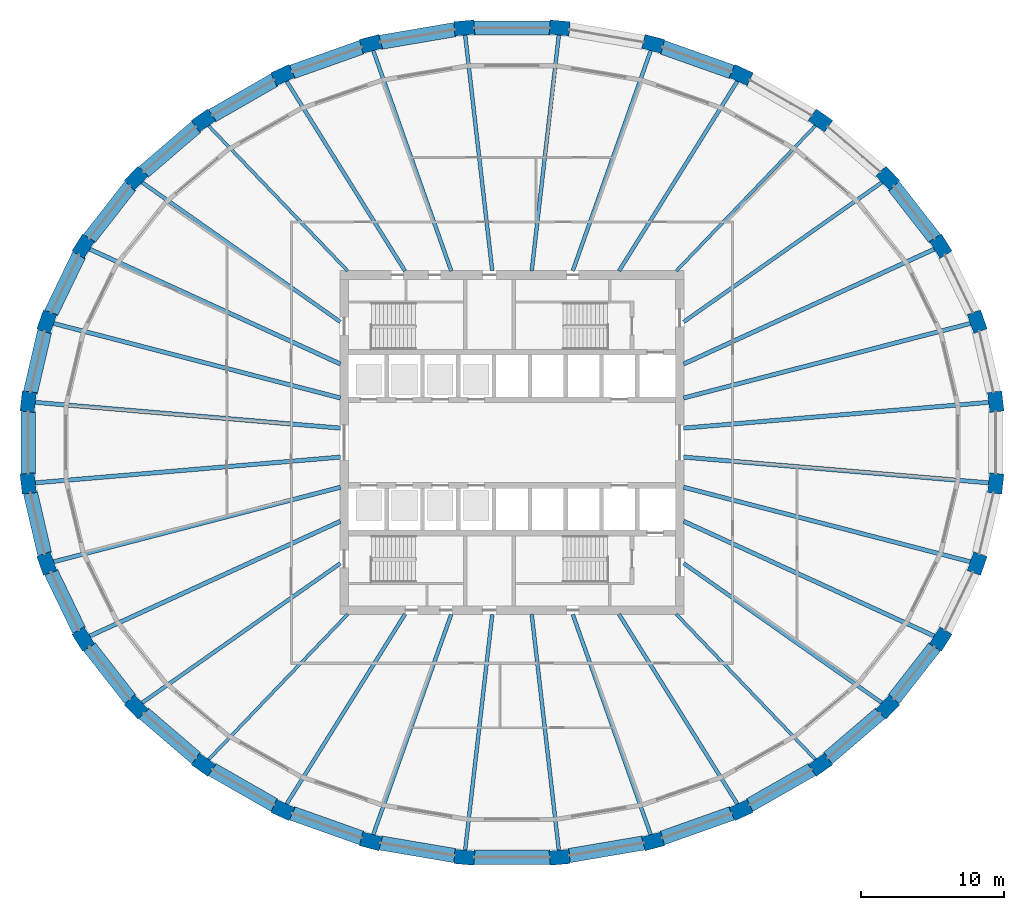
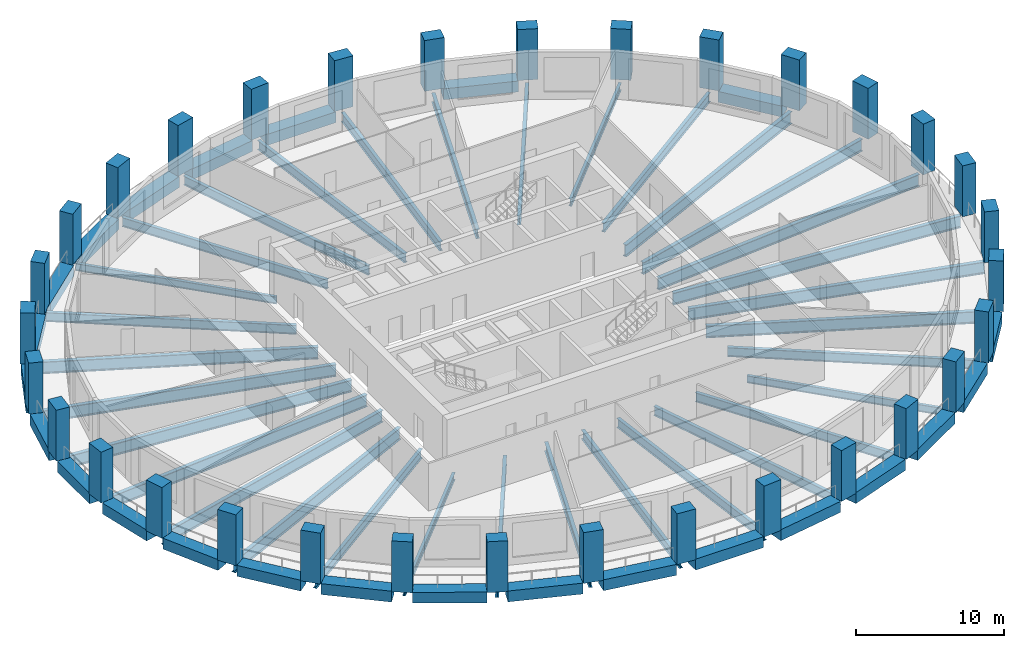
# One storey, part 1 of 10: 56 beams, 32 columns.
"""IFC4 building model written with IfcOpenShell, lengths in metres."""

from ifc_helpers import new_model, si_unit, direction, frame, origin, origin_2d, place, context, subcontext, project, spatial, rectangle, i_section, extrude, material, material_profile, profile_set, type_object, element, save


model = new_model("IFC4")

# Units and contexts
model_context = context("Model", 3, precision=1e-05, world=origin(), true_north=direction((0.0, 1.0)))
body_context = subcontext(model_context, "Body", "Model", "MODEL_VIEW")
ifc_project = project(units=[si_unit("LENGTHUNIT", "METRE"), si_unit("AREAUNIT", "SQUARE_METRE"), si_unit("VOLUMEUNIT", "CUBIC_METRE"), si_unit("PLANEANGLEUNIT", "RADIAN"), si_unit("MASSUNIT", "GRAM", prefix="KILO")], contexts=[model_context])

# Site, building, storey
site_placement = place(None, origin())
site = spatial("IfcSite", under=ifc_project, at=site_placement, CompositionType="ELEMENT")
building_placement = place(site_placement, origin())
building = spatial("IfcBuilding", under=site, at=building_placement, Name="Halqa Exchange Tower", CompositionType="ELEMENT")
storey_placement = place(building_placement, frame((0.0, 0.0, 154.89990234375)))
storey = spatial("IfcBuildingStorey", under=building, at=storey_placement, Name="L35", CompositionType="ELEMENT", Elevation=154.89990234375)

# Columns
ifc_material_1 = material(Name="Concrete C70/85", Category="concrete")
ifc_material_profile_1 = material_profile(ifc_material_1, rectangle(XDim=1.39990234375, YDim=1.0, at=origin_2d()), Name="1400 x 1000")
ifc_profile_set_1 = profile_set([ifc_material_profile_1], Name="Concrete C70/85")
column_type = type_object("IfcColumnType", Name="RC ring column 1400 x 1000 C70/85", PredefinedType="COLUMN", material=ifc_profile_set_1)
for number, where, z_axis, x_axis, name in (
    (1, (33.7578125, 2.849853515625, 0.0), (0.0, 0.0, 1.0), (-0.114155188058, 0.993462929877, 0.0), "Ring column 1"),
    (2, (32.46044921875, 8.440185546875, 0.0), (0.0, 0.0, 1.0), (-0.333634105554, 0.942702648565, 0.0), "Ring column 2"),
    (3, (29.915771484375, 13.7060546875, 0.0), (0.0, 0.0, 1.0), (-0.529143458197, 0.848532380435, 0.0), "Ring column 3"),
    (4, (26.221435546875, 18.445068359375, 0.0), (0.0, 0.0, 1.0), (-0.691578612608, 0.722301199351, 0.0), "Ring column 4"),
    (5, (21.519287109375, 22.475341796875, 0.0), (0.0, 0.0, 1.0), (-0.817910796357, 0.575345052297, 0.0), "Ring column 5"),
    (6, (15.990234375, 25.64208984375, 0.0), (0.0, 0.0, 1.0), (-0.909126368869, 0.416520402174, 0.0), "Ring column 6"),
    (7, (9.8466796875, 27.8232421875, 0.0), (0.0, 0.0, 1.0), (-0.967819503571, 0.251645402317, 0.0), "Ring column 7"),
    (8, (3.32470703125, 28.935302734375, 0.0), (0.0, 0.0, 1.0), (-0.996455225341, 0.084124811391, 0.0), "Ring column 8"),
    (9, (-3.32470703125, 28.935302734375, 0.0), (0.0, 0.0, 1.0), (-0.996455225341, -0.084124811391, 0.0), "Ring column 9"),
    (10, (-9.8466796875, 27.8232421875, 0.0), (0.0, 0.0, 1.0), (-0.967819503571, -0.251645402317, 0.0), "Ring column 10"),
    (11, (-15.990234375, 25.64208984375, 0.0), (0.0, 0.0, 1.0), (-0.909126368869, -0.416520402174, 0.0), "Ring column 11"),
    (12, (-21.519287109375, 22.475341796875, 0.0), (0.0, 0.0, 1.0), (-0.817910796357, -0.575345052297, 0.0), "Ring column 12"),
    (13, (-26.221435546875, 18.445068359375, 0.0), (0.0, 0.0, 1.0), (-0.691578612608, -0.722301199351, 0.0), "Ring column 13"),
    (14, (-29.915771484375, 13.7060546875, 0.0), (0.0, 0.0, 1.0), (-0.529143458197, -0.848532380435, 0.0), "Ring column 14"),
    (15, (-32.46044921875, 8.440185546875, 0.0), (0.0, 0.0, 1.0), (-0.333634105554, -0.942702648565, 0.0), "Ring column 15"),
    (16, (-33.7578125, 2.849853515625, 0.0), (0.0, 0.0, 1.0), (-0.114155188058, -0.993462929877, 0.0), "Ring column 16"),
    (17, (-33.7578125, -2.849853515625, 0.0), (0.0, 0.0, 1.0), (0.114155188058, -0.993462929877, 0.0), "Ring column 17"),
    (18, (-32.46044921875, -8.440185546875, 0.0), (0.0, 0.0, 1.0), (0.333634105554, -0.942702648565, 0.0), "Ring column 18"),
    (19, (-29.915771484375, -13.7060546875, 0.0), (0.0, 0.0, 1.0), (0.529143458197, -0.848532380435, 0.0), "Ring column 19"),
    (20, (-26.221435546875, -18.445068359375, 0.0), (0.0, 0.0, 1.0), (0.691578612608, -0.722301199351, 0.0), "Ring column 20"),
    (21, (-21.519287109375, -22.475341796875, 0.0), (0.0, 0.0, 1.0), (0.817910796357, -0.575345052297, 0.0), "Ring column 21"),
    (22, (-15.990234375, -25.64208984375, 0.0), (0.0, 0.0, 1.0), (0.909126368869, -0.416520402174, 0.0), "Ring column 22"),
    (23, (-9.8466796875, -27.8232421875, 0.0), (0.0, 0.0, 1.0), (0.967819503571, -0.251645402317, 0.0), "Ring column 23"),
    (24, (-3.32470703125, -28.935302734375, 0.0), (0.0, 0.0, 1.0), (0.996455225341, -0.084124811391, 0.0), "Ring column 24"),
    (25, (3.32470703125, -28.935302734375, 0.0), (0.0, 0.0, 1.0), (0.996455225341, 0.084124811391, 0.0), "Ring column 25"),
    (26, (9.8466796875, -27.8232421875, 0.0), (0.0, 0.0, 1.0), (0.967819503571, 0.251645402317, 0.0), "Ring column 26"),
    (27, (15.990234375, -25.64208984375, 0.0), (0.0, 0.0, 1.0), (0.909126368869, 0.416520402174, 0.0), "Ring column 27"),
    (28, (21.519287109375, -22.475341796875, 0.0), (0.0, 0.0, 1.0), (0.817910796357, 0.575345052297, 0.0), "Ring column 28"),
    (29, (26.221435546875, -18.445068359375, 0.0), (0.0, 0.0, 1.0), (0.691578612608, 0.722301199351, 0.0), "Ring column 29"),
    (30, (29.915771484375, -13.7060546875, 0.0), (0.0, 0.0, 1.0), (0.529143458197, 0.848532380435, 0.0), "Ring column 30"),
    (31, (32.46044921875, -8.440185546875, 0.0), (0.0, 0.0, 1.0), (0.333634105554, 0.942702648565, 0.0), "Ring column 31"),
    (32, (33.7578125, -2.849853515625, 0.0), (0.0, 0.0, 1.0), (0.114155188058, 0.993462929877, 0.0), "Ring column 32"),
):
    element("IfcColumn", number, at=place(storey_placement, frame(where, z_axis=z_axis, x_axis=x_axis)), inside=storey, type_object=column_type, Name=name, PredefinedType="COLUMN", context=body_context, shape_type="SweptSolid", body=[
        extrude(rectangle(XDim=1.39990234375, YDim=1.0, at=origin_2d()), origin(), (0.0, 0.0, 1.0), 4.2001953125),
    ])

# Beams
ifc_material_2 = material(Name="Steel S355", Category="steel")
ifc_material_profile_2 = material_profile(ifc_material_2, i_section(OverallWidth=0.300048828125, OverallDepth=0.989990234375, WebThickness=0.0166015625, FlangeThickness=0.031005859375, FilletRadius=0.030029296875, at=origin_2d()), Name="HEA 1000")
ifc_profile_set_2 = profile_set([ifc_material_profile_2], Name="Steel S355")
beam_type_1 = type_object("IfcBeamType", Name="Floor beam HEA 1000", PredefinedType="BEAM", material=ifc_profile_set_2)
beam_1_placement = place(storey_placement, frame((11.972412109375, 1.0107421875, -0.794921875), z_axis=(0.996455470836, 0.084121903455, 0.0), x_axis=(-0.084121903455, 0.996455470836, 0.0)))
element("IfcBeam", 33, at=beam_1_placement, inside=storey, type_object=beam_type_1, Name="Radial beam 1", PredefinedType="BEAM", context=body_context, shape_type="SweptSolid", body=[
    extrude(i_section(OverallWidth=0.300048828125, OverallDepth=0.989990234375, WebThickness=0.0166015625, FlangeThickness=0.031005859375, FilletRadius=0.030029296875, at=origin_2d()), origin(), (0.0, 0.0, 1.0), 21.490966796875),
])
beam_2_placement = place(storey_placement, frame((11.97119140625, 3.11279296875, -0.794921875), z_axis=(0.967821534715, 0.251637590478, 0.0), x_axis=(-0.251637590478, 0.967821534715, 0.0)))
element("IfcBeam", 34, at=beam_2_placement, inside=storey, type_object=beam_type_1, Name="Radial beam 2", PredefinedType="BEAM", context=body_context, shape_type="SweptSolid", body=[
    extrude(i_section(OverallWidth=0.300048828125, OverallDepth=0.989990234375, WebThickness=0.0166015625, FlangeThickness=0.031005859375, FilletRadius=0.030029296875, at=origin_2d()), origin(), (0.0, 0.0, 1.0), 20.79638671875),
])
for number, where, z_axis, x_axis, name in (
    (35, (11.972412109375, 5.4853515625, -0.794921875), (0.909131678644, 0.416508812495, 0.0), (-0.416508812495, 0.909131678644, 0.0), "Radial beam 3"),
    (36, (-11.972412109375, 5.4853515625, -0.794921875), (-0.909131678644, 0.416508812495, 0.0), (-0.416508812495, -0.909131678644, 0.0), "Radial beam 14"),
):
    element("IfcBeam", number, at=place(storey_placement, frame(where, z_axis=z_axis, x_axis=x_axis)), inside=storey, type_object=beam_type_1, Name=name, PredefinedType="BEAM", context=body_context, shape_type="SweptSolid", body=[
        extrude(i_section(OverallWidth=0.300048828125, OverallDepth=0.989990234375, WebThickness=0.0166015625, FlangeThickness=0.031005859375, FilletRadius=0.030029296875, at=origin_2d()), origin(), (0.0, 0.0, 1.0), 19.36083984375),
    ])
beam_3_placement = place(storey_placement, frame((-11.97119140625, 3.11279296875, -0.794921875), z_axis=(-0.967821534715, 0.251637590478, 0.0), x_axis=(-0.251637590478, -0.967821534715, 0.0)))
element("IfcBeam", 37, at=beam_3_placement, inside=storey, type_object=beam_type_1, Name="Radial beam 15", PredefinedType="BEAM", context=body_context, shape_type="SweptSolid", body=[
    extrude(i_section(OverallWidth=0.300048828125, OverallDepth=0.989990234375, WebThickness=0.0166015625, FlangeThickness=0.031005859375, FilletRadius=0.030029296875, at=origin_2d()), origin(), (0.0, 0.0, 1.0), 20.79638671875),
])
for number, where, z_axis, x_axis, name in (
    (38, (-11.972412109375, 1.0107421875, -0.794921875), (-0.996455470836, 0.084121903455, 0.0), (-0.084121903455, -0.996455470836, 0.0), "Radial beam 16"),
    (39, (-11.972412109375, -1.0107421875, -0.794921875), (-0.996455470836, -0.084121903455, 0.0), (0.084121903455, -0.996455470836, 0.0), "Radial beam 17"),
):
    element("IfcBeam", number, at=place(storey_placement, frame(where, z_axis=z_axis, x_axis=x_axis)), inside=storey, type_object=beam_type_1, Name=name, PredefinedType="BEAM", context=body_context, shape_type="SweptSolid", body=[
        extrude(i_section(OverallWidth=0.300048828125, OverallDepth=0.989990234375, WebThickness=0.0166015625, FlangeThickness=0.031005859375, FilletRadius=0.030029296875, at=origin_2d()), origin(), (0.0, 0.0, 1.0), 21.490966796875),
    ])
beam_4_placement = place(storey_placement, frame((-11.97119140625, -3.11279296875, -0.794921875), z_axis=(-0.967821534715, -0.251637590478, 0.0), x_axis=(0.251637590478, -0.967821534715, 0.0)))
element("IfcBeam", 40, at=beam_4_placement, inside=storey, type_object=beam_type_1, Name="Radial beam 18", PredefinedType="BEAM", context=body_context, shape_type="SweptSolid", body=[
    extrude(i_section(OverallWidth=0.300048828125, OverallDepth=0.989990234375, WebThickness=0.0166015625, FlangeThickness=0.031005859375, FilletRadius=0.030029296875, at=origin_2d()), origin(), (0.0, 0.0, 1.0), 20.79638671875),
])
for number, where, z_axis, x_axis, name in (
    (41, (-11.972412109375, -5.4853515625, -0.794921875), (-0.909131678644, -0.416508812495, 0.0), (0.416508812495, -0.909131678644, 0.0), "Radial beam 19"),
    (42, (11.972412109375, -5.4853515625, -0.794921875), (0.909131678644, -0.416508812495, 0.0), (0.416508812495, 0.909131678644, 0.0), "Radial beam 30"),
):
    element("IfcBeam", number, at=place(storey_placement, frame(where, z_axis=z_axis, x_axis=x_axis)), inside=storey, type_object=beam_type_1, Name=name, PredefinedType="BEAM", context=body_context, shape_type="SweptSolid", body=[
        extrude(i_section(OverallWidth=0.300048828125, OverallDepth=0.989990234375, WebThickness=0.0166015625, FlangeThickness=0.031005859375, FilletRadius=0.030029296875, at=origin_2d()), origin(), (0.0, 0.0, 1.0), 19.36083984375),
    ])
beam_5_placement = place(storey_placement, frame((11.97119140625, -3.11279296875, -0.794921875), z_axis=(0.967821534715, -0.251637590478, 0.0), x_axis=(0.251637590478, 0.967821534715, 0.0)))
element("IfcBeam", 43, at=beam_5_placement, inside=storey, type_object=beam_type_1, Name="Radial beam 31", PredefinedType="BEAM", context=body_context, shape_type="SweptSolid", body=[
    extrude(i_section(OverallWidth=0.300048828125, OverallDepth=0.989990234375, WebThickness=0.0166015625, FlangeThickness=0.031005859375, FilletRadius=0.030029296875, at=origin_2d()), origin(), (0.0, 0.0, 1.0), 20.79638671875),
])
beam_6_placement = place(storey_placement, frame((11.972412109375, -1.0107421875, -0.794921875), z_axis=(0.996455470836, -0.084121903455, 0.0), x_axis=(0.084121903455, 0.996455470836, 0.0)))
element("IfcBeam", 44, at=beam_6_placement, inside=storey, type_object=beam_type_1, Name="Radial beam 32", PredefinedType="BEAM", context=body_context, shape_type="SweptSolid", body=[
    extrude(i_section(OverallWidth=0.300048828125, OverallDepth=0.989990234375, WebThickness=0.0166015625, FlangeThickness=0.031005859375, FilletRadius=0.030029296875, at=origin_2d()), origin(), (0.0, 0.0, 1.0), 21.490966796875),
])
ifc_material_profile_3 = material_profile(ifc_material_2, i_section(OverallWidth=0.219970703125, OverallDepth=0.60009765625, WebThickness=0.011962890625, FlangeThickness=0.01904296875, FilletRadius=0.02392578125, at=origin_2d()), Name="IPE 600")
ifc_profile_set_3 = profile_set([ifc_material_profile_3], Name="Steel S355")
beam_type_2 = type_object("IfcBeamType", Name="Floor beam IPE 600", PredefinedType="BEAM", material=ifc_profile_set_3)
for number, where, z_axis, x_axis, name in (
    (45, (11.463134765625, 11.972412109375, -0.599853515625), (0.69157436899, 0.722305262445, 0.0), (-0.722305262445, 0.69157436899, 0.0), "Radial beam 5"),
    (46, (-11.463134765625, 11.972412109375, -0.599853515625), (-0.69157436899, 0.722305262445, 0.0), (-0.722305262445, -0.69157436899, 0.0), "Radial beam 12"),
    (47, (-11.463134765625, -11.972412109375, -0.599853515625), (-0.69157436899, -0.722305262445, 0.0), (0.722305262445, -0.69157436899, 0.0), "Radial beam 21"),
    (48, (11.463134765625, -11.972412109375, -0.599853515625), (0.69157436899, -0.722305262445, 0.0), (0.722305262445, 0.69157436899, 0.0), "Radial beam 28"),
):
    element("IfcBeam", number, at=place(storey_placement, frame(where, z_axis=z_axis, x_axis=x_axis)), inside=storey, type_object=beam_type_2, Name=name, PredefinedType="BEAM", context=body_context, shape_type="SweptSolid", body=[
        extrude(i_section(OverallWidth=0.219970703125, OverallDepth=0.60009765625, WebThickness=0.011962890625, FlangeThickness=0.01904296875, FilletRadius=0.02392578125, at=origin_2d()), origin(), (0.0, 0.0, 1.0), 14.1650390625),
    ])
ifc_material_profile_4 = material_profile(ifc_material_2, i_section(OverallWidth=0.264892578125, OverallDepth=0.7529296875, WebThickness=0.01318359375, FlangeThickness=0.01708984375, FilletRadius=0.01708984375, at=origin_2d()), Name="IPE 750x147")
ifc_profile_set_4 = profile_set([ifc_material_profile_4], Name="Steel S355")
beam_type_3 = type_object("IfcBeamType", Name="Floor beam IPE 750x147", PredefinedType="BEAM", material=ifc_profile_set_4)
beam_7_placement = place(storey_placement, frame((11.97216796875, 8.421630859375, -0.676513671875), z_axis=(0.817907520887, 0.575349708678, 0.0), x_axis=(-0.575349708678, 0.817907520887, 0.0)))
element("IfcBeam", 49, at=beam_7_placement, inside=storey, type_object=beam_type_3, Name="Radial beam 4", PredefinedType="BEAM", context=body_context, shape_type="SweptSolid", body=[
    extrude(i_section(OverallWidth=0.264892578125, OverallDepth=0.7529296875, WebThickness=0.01318359375, FlangeThickness=0.01708984375, FilletRadius=0.01708984375, at=origin_2d()), origin(), (0.0, 0.0, 1.0), 17.04541015625),
])
beam_8_placement = place(storey_placement, frame((7.466064453125, 11.972412109375, -0.676513671875), z_axis=(0.529133889927, 0.848538347119, 0.0), x_axis=(-0.848538347119, 0.529133889927, 0.0)))
element("IfcBeam", 50, at=beam_8_placement, inside=storey, type_object=beam_type_3, Name="Radial beam 6", PredefinedType="BEAM", context=body_context, shape_type="SweptSolid", body=[
    extrude(i_section(OverallWidth=0.264892578125, OverallDepth=0.7529296875, WebThickness=0.01318359375, FlangeThickness=0.01708984375, FilletRadius=0.01708984375, at=origin_2d()), origin(), (0.0, 0.0, 1.0), 15.733642578125),
])
beam_9_placement = place(storey_placement, frame((4.23681640625, 11.9716796875, -0.676513671875), z_axis=(0.333623926377, 0.942706251039, 0.0), x_axis=(-0.942706251039, 0.333623926377, 0.0)))
element("IfcBeam", 51, at=beam_9_placement, inside=storey, type_object=beam_type_3, Name="Radial beam 7", PredefinedType="BEAM", context=body_context, shape_type="SweptSolid", body=[
    extrude(i_section(OverallWidth=0.264892578125, OverallDepth=0.7529296875, WebThickness=0.01318359375, FlangeThickness=0.01708984375, FilletRadius=0.01708984375, at=origin_2d()), origin(), (0.0, 0.0, 1.0), 16.44091796875),
])
for number, where, z_axis, x_axis, name in (
    (52, (1.375732421875, 11.972900390625, -0.676513671875), (0.114148055141, 0.993463749468, 0.0), (-0.993463749468, 0.114148055141, 0.0), "Radial beam 8"),
    (53, (-1.375732421875, 11.972900390625, -0.676513671875), (-0.114148055141, 0.993463749468, 0.0), (-0.993463749468, -0.114148055141, 0.0), "Radial beam 9"),
):
    element("IfcBeam", number, at=place(storey_placement, frame(where, z_axis=z_axis, x_axis=x_axis)), inside=storey, type_object=beam_type_3, Name=name, PredefinedType="BEAM", context=body_context, shape_type="SweptSolid", body=[
        extrude(i_section(OverallWidth=0.264892578125, OverallDepth=0.7529296875, WebThickness=0.01318359375, FlangeThickness=0.01708984375, FilletRadius=0.01708984375, at=origin_2d()), origin(), (0.0, 0.0, 1.0), 16.701904296875),
    ])
beam_10_placement = place(storey_placement, frame((-4.23681640625, 11.9716796875, -0.676513671875), z_axis=(-0.333623926377, 0.942706251039, 0.0), x_axis=(-0.942706251039, -0.333623926377, 0.0)))
element("IfcBeam", 54, at=beam_10_placement, inside=storey, type_object=beam_type_3, Name="Radial beam 10", PredefinedType="BEAM", context=body_context, shape_type="SweptSolid", body=[
    extrude(i_section(OverallWidth=0.264892578125, OverallDepth=0.7529296875, WebThickness=0.01318359375, FlangeThickness=0.01708984375, FilletRadius=0.01708984375, at=origin_2d()), origin(), (0.0, 0.0, 1.0), 16.44091796875),
])
beam_11_placement = place(storey_placement, frame((-7.466064453125, 11.972412109375, -0.676513671875), z_axis=(-0.529133889927, 0.848538347119, 0.0), x_axis=(-0.848538347119, -0.529133889927, 0.0)))
element("IfcBeam", 55, at=beam_11_placement, inside=storey, type_object=beam_type_3, Name="Radial beam 11", PredefinedType="BEAM", context=body_context, shape_type="SweptSolid", body=[
    extrude(i_section(OverallWidth=0.264892578125, OverallDepth=0.7529296875, WebThickness=0.01318359375, FlangeThickness=0.01708984375, FilletRadius=0.01708984375, at=origin_2d()), origin(), (0.0, 0.0, 1.0), 15.733642578125),
])
for number, where, z_axis, x_axis, name in (
    (56, (-11.97216796875, 8.421630859375, -0.676513671875), (-0.817907520887, 0.575349708678, 0.0), (-0.575349708678, -0.817907520887, 0.0), "Radial beam 13"),
    (57, (-11.97216796875, -8.421630859375, -0.676513671875), (-0.817907520887, -0.575349708678, 0.0), (0.575349708678, -0.817907520887, 0.0), "Radial beam 20"),
):
    element("IfcBeam", number, at=place(storey_placement, frame(where, z_axis=z_axis, x_axis=x_axis)), inside=storey, type_object=beam_type_3, Name=name, PredefinedType="BEAM", context=body_context, shape_type="SweptSolid", body=[
        extrude(i_section(OverallWidth=0.264892578125, OverallDepth=0.7529296875, WebThickness=0.01318359375, FlangeThickness=0.01708984375, FilletRadius=0.01708984375, at=origin_2d()), origin(), (0.0, 0.0, 1.0), 17.04541015625),
    ])
beam_12_placement = place(storey_placement, frame((-7.466064453125, -11.972412109375, -0.676513671875), z_axis=(-0.529133889927, -0.848538347119, 0.0), x_axis=(0.848538347119, -0.529133889927, 0.0)))
element("IfcBeam", 58, at=beam_12_placement, inside=storey, type_object=beam_type_3, Name="Radial beam 22", PredefinedType="BEAM", context=body_context, shape_type="SweptSolid", body=[
    extrude(i_section(OverallWidth=0.264892578125, OverallDepth=0.7529296875, WebThickness=0.01318359375, FlangeThickness=0.01708984375, FilletRadius=0.01708984375, at=origin_2d()), origin(), (0.0, 0.0, 1.0), 15.733642578125),
])
beam_13_placement = place(storey_placement, frame((-4.23681640625, -11.9716796875, -0.676513671875), z_axis=(-0.333623926377, -0.942706251039, 0.0), x_axis=(0.942706251039, -0.333623926377, 0.0)))
element("IfcBeam", 59, at=beam_13_placement, inside=storey, type_object=beam_type_3, Name="Radial beam 23", PredefinedType="BEAM", context=body_context, shape_type="SweptSolid", body=[
    extrude(i_section(OverallWidth=0.264892578125, OverallDepth=0.7529296875, WebThickness=0.01318359375, FlangeThickness=0.01708984375, FilletRadius=0.01708984375, at=origin_2d()), origin(), (0.0, 0.0, 1.0), 16.44091796875),
])
for number, where, z_axis, x_axis, name in (
    (60, (-1.375732421875, -11.972900390625, -0.676513671875), (-0.114148055141, -0.993463749468, 0.0), (0.993463749468, -0.114148055141, 0.0), "Radial beam 24"),
    (61, (1.375732421875, -11.972900390625, -0.676513671875), (0.114148055141, -0.993463749468, 0.0), (0.993463749468, 0.114148055141, 0.0), "Radial beam 25"),
):
    element("IfcBeam", number, at=place(storey_placement, frame(where, z_axis=z_axis, x_axis=x_axis)), inside=storey, type_object=beam_type_3, Name=name, PredefinedType="BEAM", context=body_context, shape_type="SweptSolid", body=[
        extrude(i_section(OverallWidth=0.264892578125, OverallDepth=0.7529296875, WebThickness=0.01318359375, FlangeThickness=0.01708984375, FilletRadius=0.01708984375, at=origin_2d()), origin(), (0.0, 0.0, 1.0), 16.701904296875),
    ])
beam_14_placement = place(storey_placement, frame((4.23681640625, -11.9716796875, -0.676513671875), z_axis=(0.333623926377, -0.942706251039, 0.0), x_axis=(0.942706251039, 0.333623926377, 0.0)))
element("IfcBeam", 62, at=beam_14_placement, inside=storey, type_object=beam_type_3, Name="Radial beam 26", PredefinedType="BEAM", context=body_context, shape_type="SweptSolid", body=[
    extrude(i_section(OverallWidth=0.264892578125, OverallDepth=0.7529296875, WebThickness=0.01318359375, FlangeThickness=0.01708984375, FilletRadius=0.01708984375, at=origin_2d()), origin(), (0.0, 0.0, 1.0), 16.44091796875),
])
beam_15_placement = place(storey_placement, frame((7.466064453125, -11.972412109375, -0.676513671875), z_axis=(0.529133889927, -0.848538347119, 0.0), x_axis=(0.848538347119, 0.529133889927, 0.0)))
element("IfcBeam", 63, at=beam_15_placement, inside=storey, type_object=beam_type_3, Name="Radial beam 27", PredefinedType="BEAM", context=body_context, shape_type="SweptSolid", body=[
    extrude(i_section(OverallWidth=0.264892578125, OverallDepth=0.7529296875, WebThickness=0.01318359375, FlangeThickness=0.01708984375, FilletRadius=0.01708984375, at=origin_2d()), origin(), (0.0, 0.0, 1.0), 15.733642578125),
])
beam_16_placement = place(storey_placement, frame((11.97216796875, -8.421630859375, -0.676513671875), z_axis=(0.817907520887, -0.575349708678, 0.0), x_axis=(0.575349708678, 0.817907520887, 0.0)))
element("IfcBeam", 64, at=beam_16_placement, inside=storey, type_object=beam_type_3, Name="Radial beam 29", PredefinedType="BEAM", context=body_context, shape_type="SweptSolid", body=[
    extrude(i_section(OverallWidth=0.264892578125, OverallDepth=0.7529296875, WebThickness=0.01318359375, FlangeThickness=0.01708984375, FilletRadius=0.01708984375, at=origin_2d()), origin(), (0.0, 0.0, 1.0), 17.04541015625),
])
ifc_material_3 = material(Name="Concrete C60/75", Category="concrete")
ifc_material_profile_5 = material_profile(ifc_material_3, rectangle(XDim=1.0, YDim=0.89990234375, at=origin_2d()), Name="1000 x 900")
ifc_profile_set_5 = profile_set([ifc_material_profile_5], Name="Concrete C60/75")
beam_type_4 = type_object("IfcBeamType", Name="RC spandrel beam 1000 x 900 C60/75", PredefinedType="SPANDREL", material=ifc_profile_set_5)
beam_17_placement = place(storey_placement, frame((29.500244140625, 14.239013671875, -0.449951171875), z_axis=(-0.614796515977, 0.78868577009, 0.0), x_axis=(-0.78868577009, -0.614796515977, 0.0)))
element("IfcBeam", 65, at=beam_17_placement, inside=storey, type_object=beam_type_4, Name="Spandrel 3", PredefinedType="SPANDREL", context=body_context, shape_type="SweptSolid", body=[
    extrude(rectangle(XDim=1.0, YDim=0.89990234375, at=origin_2d()), origin(), (0.0, 0.0, 1.0), 4.658447265625),
])
beam_18_placement = place(storey_placement, frame((15.354248046875, 25.867919921875, -0.449951171875), z_axis=(-0.942370602203, 0.334570841682, 0.0), x_axis=(-0.334570841682, -0.942370602203, 0.0)))
element("IfcBeam", 66, at=beam_18_placement, inside=storey, type_object=beam_type_4, Name="Spandrel 6", PredefinedType="SPANDREL", context=body_context, shape_type="SweptSolid", body=[
    extrude(rectangle(XDim=1.0, YDim=0.89990234375, at=origin_2d()), origin(), (0.0, 0.0, 1.0), 5.169921875),
])
beam_19_placement = place(storey_placement, frame((2.649658203125, 28.935302734375, -0.449951171875), z_axis=(-1.0, 0.0, 0.0), x_axis=(0.0, -1.0, 0.0)))
element("IfcBeam", 67, at=beam_19_placement, inside=storey, type_object=beam_type_4, Name="Spandrel 8", PredefinedType="SPANDREL", context=body_context, shape_type="SweptSolid", body=[
    extrude(rectangle(XDim=1.0, YDim=0.89990234375, at=origin_2d()), origin(), (0.0, 0.0, 1.0), 5.29931640625),
])
beam_20_placement = place(storey_placement, frame((-3.990478515625, 28.82177734375, -0.449951171875), z_axis=(-0.985766792744, -0.168118500836, 0.0), x_axis=(0.168118500836, -0.985766792744, 0.0)))
element("IfcBeam", 68, at=beam_20_placement, inside=storey, type_object=beam_type_4, Name="Spandrel 9", PredefinedType="SPANDREL", context=body_context, shape_type="SweptSolid", body=[
    extrude(rectangle(XDim=1.0, YDim=0.89990234375, at=origin_2d()), origin(), (0.0, 0.0, 1.0), 5.26708984375),
])
beam_21_placement = place(storey_placement, frame((-10.482177734375, 27.59765625, -0.449951171875), z_axis=(-0.942370602203, -0.334570841682, 0.0), x_axis=(0.334570841682, -0.942370602203, 0.0)))
element("IfcBeam", 69, at=beam_21_placement, inside=storey, type_object=beam_type_4, Name="Spandrel 10", PredefinedType="SPANDREL", context=body_context, shape_type="SweptSolid", body=[
    extrude(rectangle(XDim=1.0, YDim=0.89990234375, at=origin_2d()), origin(), (0.0, 0.0, 1.0), 5.169921875),
])
beam_22_placement = place(storey_placement, frame((-16.5751953125, 25.30712890625, -0.449951171875), z_axis=(-0.867743165303, -0.497012876161, 0.0), x_axis=(0.497012876161, -0.867743165303, 0.0)))
element("IfcBeam", 70, at=beam_22_placement, inside=storey, type_object=beam_type_4, Name="Spandrel 11", PredefinedType="SPANDREL", context=body_context, shape_type="SweptSolid", body=[
    extrude(rectangle(XDim=1.0, YDim=0.89990234375, at=origin_2d()), origin(), (0.0, 0.0, 1.0), 5.022705078125),
])
beam_23_placement = place(storey_placement, frame((-22.031005859375, 22.03662109375, -0.449951171875), z_axis=(-0.759260160399, -0.650787222394, 0.0), x_axis=(0.650787222394, -0.759260160399, 0.0)))
element("IfcBeam", 71, at=beam_23_placement, inside=storey, type_object=beam_type_4, Name="Spandrel 12", PredefinedType="SPANDREL", context=body_context, shape_type="SweptSolid", body=[
    extrude(rectangle(XDim=1.0, YDim=0.89990234375, at=origin_2d()), origin(), (0.0, 0.0, 1.0), 4.843505859375),
])
beam_24_placement = place(storey_placement, frame((-26.63623046875, 17.9130859375, -0.449951171875), z_axis=(-0.614796515977, -0.78868577009, 0.0), x_axis=(0.78868577009, -0.614796515977, 0.0)))
element("IfcBeam", 72, at=beam_24_placement, inside=storey, type_object=beam_type_4, Name="Spandrel 13", PredefinedType="SPANDREL", context=body_context, shape_type="SweptSolid", body=[
    extrude(rectangle(XDim=1.0, YDim=0.89990234375, at=origin_2d()), origin(), (0.0, 0.0, 1.0), 4.658447265625),
])
beam_25_placement = place(storey_placement, frame((-30.20947265625, 13.09814453125, -0.449951171875), z_axis=(-0.435099717308, -0.900382272148, 0.0), x_axis=(0.900382272148, -0.435099717308, 0.0)))
element("IfcBeam", 73, at=beam_25_placement, inside=storey, type_object=beam_type_4, Name="Spandrel 14", PredefinedType="SPANDREL", context=body_context, shape_type="SweptSolid", body=[
    extrude(rectangle(XDim=1.0, YDim=0.89990234375, at=origin_2d()), origin(), (0.0, 0.0, 1.0), 4.497314453125),
])
beam_26_placement = place(storey_placement, frame((-32.613525390625, 7.780517578125, -0.449951171875), z_axis=(-0.226050480348, -0.974115588795, 0.0), x_axis=(0.974115588795, -0.226050480348, 0.0)))
element("IfcBeam", 74, at=beam_26_placement, inside=storey, type_object=beam_type_4, Name="Spandrel 15", PredefinedType="SPANDREL", context=body_context, shape_type="SweptSolid", body=[
    extrude(rectangle(XDim=1.0, YDim=0.89990234375, at=origin_2d()), origin(), (0.0, 0.0, 1.0), 4.385986328125),
])
beam_27_placement = place(storey_placement, frame((-33.7578125, 2.173828125, -0.449951171875), z_axis=(0.0, -1.0, 0.0), x_axis=(1.0, 0.0, 0.0)))
element("IfcBeam", 75, at=beam_27_placement, inside=storey, type_object=beam_type_4, Name="Spandrel 16", PredefinedType="SPANDREL", context=body_context, shape_type="SweptSolid", body=[
    extrude(rectangle(XDim=1.0, YDim=0.89990234375, at=origin_2d()), origin(), (0.0, 0.0, 1.0), 4.34765625),
])
beam_28_placement = place(storey_placement, frame((-33.60498046875, -3.508056640625, -0.449951171875), z_axis=(0.226050480348, -0.974115588795, 0.0), x_axis=(0.974115588795, 0.226050480348, 0.0)))
element("IfcBeam", 76, at=beam_28_placement, inside=storey, type_object=beam_type_4, Name="Spandrel 17", PredefinedType="SPANDREL", context=body_context, shape_type="SweptSolid", body=[
    extrude(rectangle(XDim=1.0, YDim=0.89990234375, at=origin_2d()), origin(), (0.0, 0.0, 1.0), 4.385986328125),
])
beam_29_placement = place(storey_placement, frame((-32.166259765625, -9.048828125, -0.449951171875), z_axis=(0.435099717308, -0.900382272148, 0.0), x_axis=(0.900382272148, 0.435099717308, 0.0)))
element("IfcBeam", 77, at=beam_29_placement, inside=storey, type_object=beam_type_4, Name="Spandrel 18", PredefinedType="SPANDREL", context=body_context, shape_type="SweptSolid", body=[
    extrude(rectangle(XDim=1.0, YDim=0.89990234375, at=origin_2d()), origin(), (0.0, 0.0, 1.0), 4.497314453125),
])
beam_30_placement = place(storey_placement, frame((-29.500244140625, -14.239013671875, -0.449951171875), z_axis=(0.614796515977, -0.78868577009, 0.0), x_axis=(0.78868577009, 0.614796515977, 0.0)))
element("IfcBeam", 78, at=beam_30_placement, inside=storey, type_object=beam_type_4, Name="Spandrel 19", PredefinedType="SPANDREL", context=body_context, shape_type="SweptSolid", body=[
    extrude(rectangle(XDim=1.0, YDim=0.89990234375, at=origin_2d()), origin(), (0.0, 0.0, 1.0), 4.658447265625),
])
beam_31_placement = place(storey_placement, frame((-25.70849609375, -18.884521484375, -0.449951171875), z_axis=(0.759260160399, -0.650787222394, 0.0), x_axis=(0.650787222394, 0.759260160399, 0.0)))
element("IfcBeam", 79, at=beam_31_placement, inside=storey, type_object=beam_type_4, Name="Spandrel 20", PredefinedType="SPANDREL", context=body_context, shape_type="SweptSolid", body=[
    extrude(rectangle(XDim=1.0, YDim=0.89990234375, at=origin_2d()), origin(), (0.0, 0.0, 1.0), 4.843505859375),
])
beam_32_placement = place(storey_placement, frame((-20.93359375, -22.810791015625, -0.449951171875), z_axis=(0.867743165303, -0.497012876161, 0.0), x_axis=(0.497012876161, 0.867743165303, 0.0)))
element("IfcBeam", 80, at=beam_32_placement, inside=storey, type_object=beam_type_4, Name="Spandrel 21", PredefinedType="SPANDREL", context=body_context, shape_type="SweptSolid", body=[
    extrude(rectangle(XDim=1.0, YDim=0.89990234375, at=origin_2d()), origin(), (0.0, 0.0, 1.0), 5.022705078125),
])
beam_33_placement = place(storey_placement, frame((-15.354248046875, -25.867919921875, -0.449951171875), z_axis=(0.942370602203, -0.334570841682, 0.0), x_axis=(0.334570841682, 0.942370602203, 0.0)))
element("IfcBeam", 81, at=beam_33_placement, inside=storey, type_object=beam_type_4, Name="Spandrel 22", PredefinedType="SPANDREL", context=body_context, shape_type="SweptSolid", body=[
    extrude(rectangle(XDim=1.0, YDim=0.89990234375, at=origin_2d()), origin(), (0.0, 0.0, 1.0), 5.169921875),
])
beam_34_placement = place(storey_placement, frame((-9.1826171875, -27.936279296875, -0.449951171875), z_axis=(0.985766792744, -0.168118500836, 0.0), x_axis=(0.168118500836, 0.985766792744, 0.0)))
element("IfcBeam", 82, at=beam_34_placement, inside=storey, type_object=beam_type_4, Name="Spandrel 23", PredefinedType="SPANDREL", context=body_context, shape_type="SweptSolid", body=[
    extrude(rectangle(XDim=1.0, YDim=0.89990234375, at=origin_2d()), origin(), (0.0, 0.0, 1.0), 5.26708984375),
])
beam_35_placement = place(storey_placement, frame((-2.649658203125, -28.935302734375, -0.449951171875), z_axis=(1.0, 0.0, 0.0), x_axis=(0.0, 1.0, 0.0)))
element("IfcBeam", 83, at=beam_35_placement, inside=storey, type_object=beam_type_4, Name="Spandrel 24", PredefinedType="SPANDREL", context=body_context, shape_type="SweptSolid", body=[
    extrude(rectangle(XDim=1.0, YDim=0.89990234375, at=origin_2d()), origin(), (0.0, 0.0, 1.0), 5.29931640625),
])
beam_36_placement = place(storey_placement, frame((3.990478515625, -28.82177734375, -0.449951171875), z_axis=(0.985766792744, 0.168118500836, 0.0), x_axis=(-0.168118500836, 0.985766792744, 0.0)))
element("IfcBeam", 84, at=beam_36_placement, inside=storey, type_object=beam_type_4, Name="Spandrel 25", PredefinedType="SPANDREL", context=body_context, shape_type="SweptSolid", body=[
    extrude(rectangle(XDim=1.0, YDim=0.89990234375, at=origin_2d()), origin(), (0.0, 0.0, 1.0), 5.26708984375),
])
beam_37_placement = place(storey_placement, frame((10.482177734375, -27.59765625, -0.449951171875), z_axis=(0.942370602203, 0.334570841682, 0.0), x_axis=(-0.334570841682, 0.942370602203, 0.0)))
element("IfcBeam", 85, at=beam_37_placement, inside=storey, type_object=beam_type_4, Name="Spandrel 26", PredefinedType="SPANDREL", context=body_context, shape_type="SweptSolid", body=[
    extrude(rectangle(XDim=1.0, YDim=0.89990234375, at=origin_2d()), origin(), (0.0, 0.0, 1.0), 5.169921875),
])
beam_38_placement = place(storey_placement, frame((16.5751953125, -25.30712890625, -0.449951171875), z_axis=(0.867743165303, 0.497012876161, 0.0), x_axis=(-0.497012876161, 0.867743165303, 0.0)))
element("IfcBeam", 86, at=beam_38_placement, inside=storey, type_object=beam_type_4, Name="Spandrel 27", PredefinedType="SPANDREL", context=body_context, shape_type="SweptSolid", body=[
    extrude(rectangle(XDim=1.0, YDim=0.89990234375, at=origin_2d()), origin(), (0.0, 0.0, 1.0), 5.022705078125),
])
beam_39_placement = place(storey_placement, frame((22.031005859375, -22.03662109375, -0.449951171875), z_axis=(0.759260160399, 0.650787222394, 0.0), x_axis=(-0.650787222394, 0.759260160399, 0.0)))
element("IfcBeam", 87, at=beam_39_placement, inside=storey, type_object=beam_type_4, Name="Spandrel 28", PredefinedType="SPANDREL", context=body_context, shape_type="SweptSolid", body=[
    extrude(rectangle(XDim=1.0, YDim=0.89990234375, at=origin_2d()), origin(), (0.0, 0.0, 1.0), 4.843505859375),
])
beam_40_placement = place(storey_placement, frame((26.63623046875, -17.9130859375, -0.449951171875), z_axis=(0.614796515977, 0.78868577009, 0.0), x_axis=(-0.78868577009, 0.614796515977, 0.0)))
element("IfcBeam", 88, at=beam_40_placement, inside=storey, type_object=beam_type_4, Name="Spandrel 29", PredefinedType="SPANDREL", context=body_context, shape_type="SweptSolid", body=[
    extrude(rectangle(XDim=1.0, YDim=0.89990234375, at=origin_2d()), origin(), (0.0, 0.0, 1.0), 4.658447265625),
])

save(model, "model.ifc")
